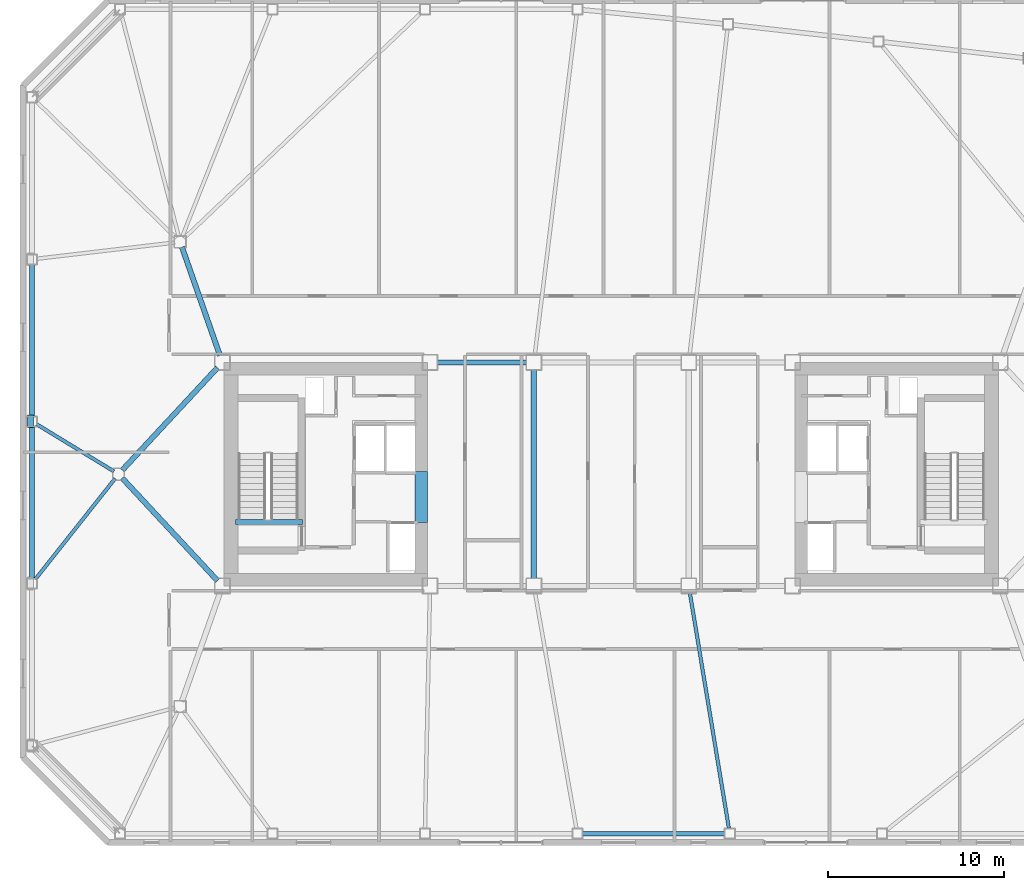
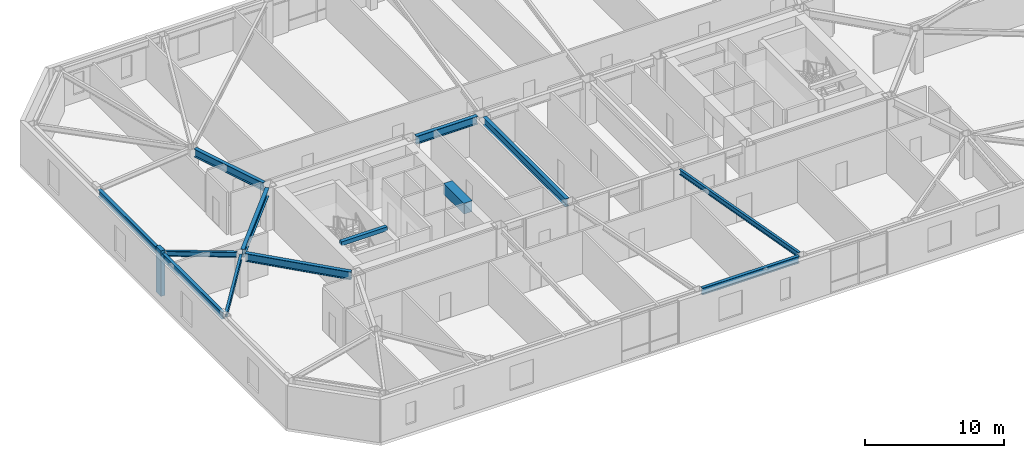
# One storey, part 3 of 18: 13 beams, 1 member.
"""IFC4 building model written with IfcOpenShell, lengths in metres."""

from ifc_helpers import new_model, si_unit, direction, frame, origin, origin_2d, place, context, subcontext, project, spatial, rectangle, i_section, extrude, material, material_profile, profile_set, type_object, element, save


model = new_model("IFC4")

# Units and contexts
model_context = context("Model", 3, precision=1e-05, world=origin(), true_north=direction((0.0, 1.0)))
body_context = subcontext(model_context, "Body", "Model", "MODEL_VIEW")
ifc_project = project(units=[si_unit("LENGTHUNIT", "METRE"), si_unit("AREAUNIT", "SQUARE_METRE"), si_unit("VOLUMEUNIT", "CUBIC_METRE"), si_unit("PLANEANGLEUNIT", "RADIAN"), si_unit("MASSUNIT", "GRAM", prefix="KILO")], contexts=[model_context])

# Site, building, storey
site_placement = place(None, origin())
site = spatial("IfcSite", under=ifc_project, at=site_placement, CompositionType="ELEMENT")
building_placement = place(site_placement, origin())
building = spatial("IfcBuilding", under=site, at=building_placement, Name="Tavrogorsk Clinical Tower", CompositionType="ELEMENT")
storey_placement = place(building_placement, frame((0.0, 0.0, 192.199951171875)))
storey = spatial("IfcBuildingStorey", under=building, at=storey_placement, Name="L44", CompositionType="ELEMENT", Elevation=192.199951171875)

# Beams
ifc_material_1 = material(Name="Concrete B80", Category="concrete")
ifc_material_profile_1 = material_profile(ifc_material_1, rectangle(XDim=0.699951171875, YDim=0.949951171875, at=origin_2d()), Name="RC-CB-700x950")
ifc_profile_set_1 = profile_set([ifc_material_profile_1], Name="Concrete B80")
beam_type_1 = type_object("IfcBeamType", Name="CouplingBeam_RC700x950", PredefinedType="LINTEL", material=ifc_profile_set_1)
beam_1_placement = place(storey_placement, frame((-10.800048828125, -2.75, 3.26513671875), z_axis=(0.0, 1.0, 0.0), x_axis=(-1.0, 0.0, 0.0)))
element("IfcBeam", 1, at=beam_1_placement, inside=storey, type_object=beam_type_1, Name="L44 Core West Coupling Beam", PredefinedType="LINTEL", context=body_context, shape_type="SweptSolid", body=[
    extrude(rectangle(XDim=0.699951171875, YDim=0.949951171875, at=origin_2d()), origin(), (0.0, 0.0, 1.0), 2.89990234375),
])
ifc_material_2 = material(Name="Structural steel S355", Category="steel")
ifc_material_profile_2 = material_profile(ifc_material_2, i_section(OverallWidth=0.199951171875, OverallDepth=0.449951171875, WebThickness=0.011474609375, FlangeThickness=0.01806640625, at=origin_2d()), Name="B-450x200x11.5x18")
ifc_profile_set_2 = profile_set([ifc_material_profile_2], Name="Structural steel S355")
beam_type_2 = type_object("IfcBeamType", Name="FloorBeam_B450", PredefinedType="BEAM", material=ifc_profile_set_2)
beam_2_placement = place(storey_placement, frame((4.467041015625, -6.75439453125, 3.51513671875), z_axis=(0.16347521907, -0.986547440699, 0.0), x_axis=(0.986547440699, 0.16347521907, 0.0)))
element("IfcBeam", 2, at=beam_2_placement, inside=storey, type_object=beam_type_2, Name="L44 Radial Floor Beam S5", PredefinedType="BEAM", context=body_context, shape_type="SweptSolid", body=[
    extrude(i_section(OverallWidth=0.199951171875, OverallDepth=0.449951171875, WebThickness=0.011474609375, FlangeThickness=0.01806640625, at=origin_2d()), origin(), (0.0, 0.0, 1.0), 13.5439453125),
])
beam_3_placement = place(storey_placement, frame((-28.2646484375, 0.161376953125, 3.51513671875), z_axis=(-0.853798748257, 0.520603205402, 0.0), x_axis=(-0.520603205402, -0.853798748257, 0.0)))
element("IfcBeam", 3, at=beam_3_placement, inside=storey, type_object=beam_type_2, Name="L44 Radial Floor Beam W3", PredefinedType="BEAM", context=body_context, shape_type="SweptSolid", body=[
    extrude(i_section(OverallWidth=0.199951171875, OverallDepth=0.449951171875, WebThickness=0.011474609375, FlangeThickness=0.01806640625, at=origin_2d()), origin(), (0.0, 0.0, 1.0), 5.14453125),
])
beam_4_placement = place(storey_placement, frame((-28.192626953125, -0.242919921875, 3.51513671875), z_axis=(-0.620987118336, -0.783820769603, 0.0), x_axis=(0.783820769603, -0.620987118336, 0.0)))
element("IfcBeam", 4, at=beam_4_placement, inside=storey, type_object=beam_type_2, Name="L44 Radial Floor Beam W4", PredefinedType="BEAM", context=body_context, shape_type="SweptSolid", body=[
    extrude(i_section(OverallWidth=0.199951171875, OverallDepth=0.449951171875, WebThickness=0.011474609375, FlangeThickness=0.01806640625, at=origin_2d()), origin(), (0.0, 0.0, 1.0), 7.3046875),
])

# Member
ifc_material_3 = material(Name="Precast concrete B45 with limestone cladding", Category="masonry")
ifc_material_profile_3 = material_profile(ifc_material_3, rectangle(XDim=0.320068359375, YDim=0.719970703125, at=origin_2d()), Name="LIMESTONE-FIN-320x720")
ifc_profile_set_3 = profile_set([ifc_material_profile_3], Name="Precast concrete B45 with limestone cladding")
member_type = type_object("IfcMemberType", Name="LimestonePleatFin_320x720", PredefinedType="USERDEFINED", material=ifc_profile_set_3)
member_placement = place(storey_placement, frame((-33.0, 3.0, 0.0), z_axis=(0.0, 0.0, 1.0), x_axis=(1.0, 0.0, 0.0)))
element("IfcMember", 5, at=member_placement, inside=storey, type_object=member_type, Name="L44 W Pleated Stone Fin 2", ObjectType="FIN", PredefinedType="USERDEFINED", context=body_context, shape_type="SweptSolid", body=[
    extrude(rectangle(XDim=0.320068359375, YDim=0.719970703125, at=origin_2d()), origin(), (0.0, 0.0, 1.0), 4.0),
])

# Beams
ifc_material_4 = material(Name="Structural steel S390", Category="steel")
ifc_material_profile_4 = material_profile(ifc_material_4, i_section(OverallWidth=0.300048828125, OverallDepth=0.699951171875, WebThickness=0.01708984375, FlangeThickness=0.028076171875, at=origin_2d()), Name="B-700x300x17x28")
ifc_profile_set_4 = profile_set([ifc_material_profile_4], Name="Structural steel S390")
beam_type_3 = type_object("IfcBeamType", Name="PrimaryGirder_B700", PredefinedType="USERDEFINED", material=ifc_profile_set_4)
beam_5_placement = place(storey_placement, frame((-9.889892578125, 6.35009765625, 3.39013671875), z_axis=(1.0, 0.0, 0.0), x_axis=(0.0, 1.0, 0.0)))
element("IfcBeam", 6, at=beam_5_placement, inside=storey, type_object=beam_type_3, Name="L44 Primary Spine Girder MG-02", ObjectType="GIRDER", PredefinedType="USERDEFINED", context=body_context, shape_type="SweptSolid", body=[
    extrude(i_section(OverallWidth=0.300048828125, OverallDepth=0.699951171875, WebThickness=0.01708984375, FlangeThickness=0.028076171875, at=origin_2d()), origin(), (0.0, 0.0, 1.0), 5.079833984375),
])
beam_6_placement = place(storey_placement, frame((-4.39990234375, -5.93994140625, 3.39013671875), z_axis=(0.0, 1.0, 0.0), x_axis=(-1.0, 0.0, 0.0)))
element("IfcBeam", 7, at=beam_6_placement, inside=storey, type_object=beam_type_3, Name="L44 Primary Spine Girder MG-07", ObjectType="GIRDER", PredefinedType="USERDEFINED", context=body_context, shape_type="SweptSolid", body=[
    extrude(i_section(OverallWidth=0.300048828125, OverallDepth=0.699951171875, WebThickness=0.01708984375, FlangeThickness=0.028076171875, at=origin_2d()), origin(), (0.0, 0.0, 1.0), 11.8798828125),
])
beam_7_placement = place(storey_placement, frame((-24.3974609375, 12.907470703125, 3.39013671875), z_axis=(0.33065312634, -0.94375235631, 0.0), x_axis=(0.94375235631, 0.33065312634, 0.0)))
element("IfcBeam", 8, at=beam_7_placement, inside=storey, type_object=beam_type_3, Name="L44 Spine Link Girder OPG-3", ObjectType="GIRDER", PredefinedType="USERDEFINED", context=body_context, shape_type="SweptSolid", body=[
    extrude(i_section(OverallWidth=0.300048828125, OverallDepth=0.699951171875, WebThickness=0.01708984375, FlangeThickness=0.028076171875, at=origin_2d()), origin(), (0.0, 0.0, 1.0), 6.5380859375),
])
for number, where, z_axis, x_axis, name in (
    (9, (-27.7890625, -0.22705078125, 3.39013671875), (0.680673750312, -0.732586681312, 0.0), (0.732586681312, 0.680673750312, 0.0), "L44 Spine Link Girder OPG-5"),
    (10, (-27.7890625, 0.22705078125, 3.39013671875), (0.680673750312, 0.732586681312, 0.0), (-0.732586681312, 0.680673750312, 0.0), "L44 Spine Link Girder OPG-6"),
):
    element("IfcBeam", number, at=place(storey_placement, frame(where, z_axis=z_axis, x_axis=x_axis)), inside=storey, type_object=beam_type_3, Name=name, ObjectType="GIRDER", PredefinedType="USERDEFINED", context=body_context, shape_type="SweptSolid", body=[
        extrude(i_section(OverallWidth=0.300048828125, OverallDepth=0.699951171875, WebThickness=0.01708984375, FlangeThickness=0.028076171875, at=origin_2d()), origin(), (0.0, 0.0, 1.0), 7.947998046875),
    ])
ifc_material_5 = material(Name="Structural steel S390", Category="steel")
ifc_material_profile_5 = material_profile(ifc_material_5, i_section(OverallWidth=0.260009765625, OverallDepth=0.60009765625, WebThickness=0.014892578125, FlangeThickness=0.02392578125, at=origin_2d()), Name="B-600x260x15x24")
ifc_profile_set_5 = profile_set([ifc_material_profile_5], Name="Structural steel S390")
beam_type_4 = type_object("IfcBeamType", Name="SpandrelBeam_B600", PredefinedType="SPANDREL", material=ifc_profile_set_5)
beam_8_placement = place(storey_placement, frame((-1.623291015625, -20.419921875, 3.43994140625), z_axis=(1.0, 0.0, 0.0), x_axis=(0.0, 1.0, 0.0)))
element("IfcBeam", 11, at=beam_8_placement, inside=storey, type_object=beam_type_4, Name="L44 Perimeter Spandrel S4-S5", PredefinedType="SPANDREL", context=body_context, shape_type="SweptSolid", body=[
    extrude(i_section(OverallWidth=0.260009765625, OverallDepth=0.60009765625, WebThickness=0.014892578125, FlangeThickness=0.02392578125, at=origin_2d()), origin(), (0.0, 0.0, 1.0), 8.046630859375),
])
for number, where, z_axis, x_axis, name in (
    (12, (-32.919921875, 11.902099609375, 3.43994140625), (0.0, -1.0, 0.0), (1.0, 0.0, 0.0), "L44 Perimeter Spandrel W2-W3"),
    (13, (-32.919921875, 2.69189453125, 3.43994140625), (0.0, -1.0, 0.0), (1.0, 0.0, 0.0), "L44 Perimeter Spandrel W3-W4"),
):
    element("IfcBeam", number, at=place(storey_placement, frame(where, z_axis=z_axis, x_axis=x_axis)), inside=storey, type_object=beam_type_4, Name=name, PredefinedType="SPANDREL", context=body_context, shape_type="SweptSolid", body=[
        extrude(i_section(OverallWidth=0.260009765625, OverallDepth=0.60009765625, WebThickness=0.014892578125, FlangeThickness=0.02392578125, at=origin_2d()), origin(), (0.0, 0.0, 1.0), 8.593994140625),
    ])
ifc_material_6 = material(Name="Concrete B60", Category="concrete")
ifc_material_profile_6 = material_profile(ifc_material_6, rectangle(XDim=0.300048828125, YDim=0.35009765625, at=origin_2d()), Name="RC-SHB-300x350")
ifc_profile_set_6 = profile_set([ifc_material_profile_6], Name="Concrete B60")
beam_type_5 = type_object("IfcBeamType", Name="StairHeaderBeam_RC300x350", PredefinedType="BEAM", material=ifc_profile_set_6)
beam_9_placement = place(storey_placement, frame((-21.35009765625, -2.719970703125, 3.824951171875), z_axis=(1.0, 0.0, 0.0), x_axis=(0.0, 1.0, 0.0)))
element("IfcBeam", 14, at=beam_9_placement, inside=storey, type_object=beam_type_5, Name="L45 ST-W Landing Header Beam", PredefinedType="BEAM", context=body_context, shape_type="SweptSolid", body=[
    extrude(rectangle(XDim=0.300048828125, YDim=0.35009765625, at=origin_2d()), origin(), (0.0, 0.0, 1.0), 3.800048828125),
])

save(model, "model.ifc")
